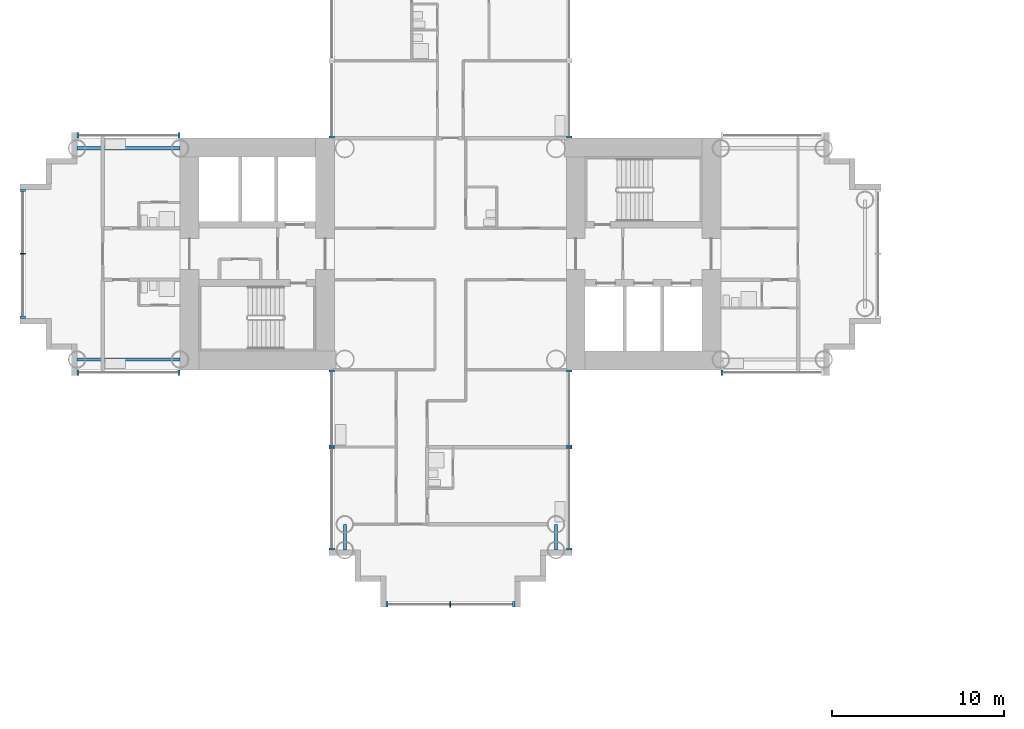
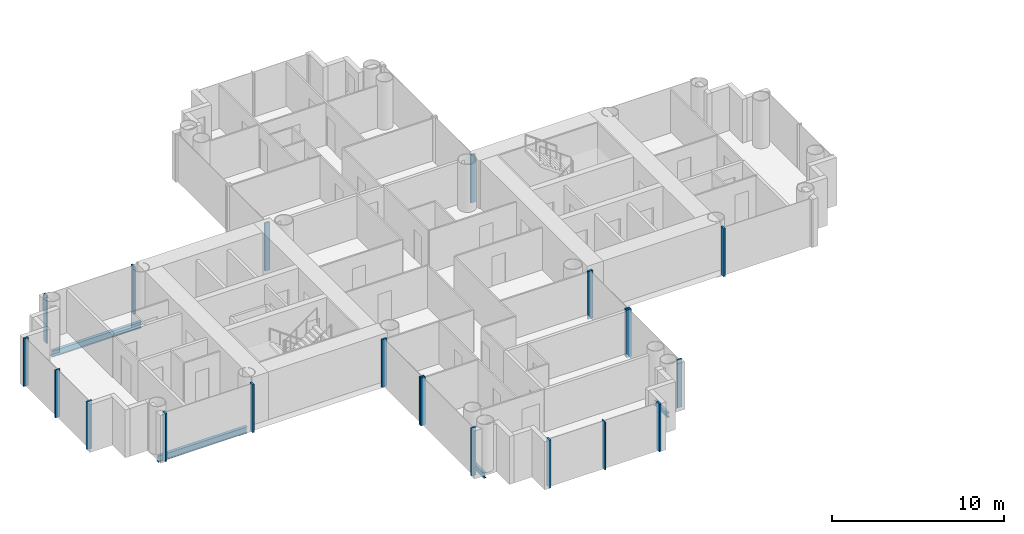
# One storey, part 3 of 21: 21 members, 4 beams, 11 elements without a shape of their own.
"""IFC4 building model written with IfcOpenShell, lengths in metres."""

from ifc_helpers import new_model, si_unit, direction, frame, origin, origin_2d, place, context, subcontext, project, spatial, rectangle, i_section, extrude, material, layer, layer_set, material_profile, profile_set, type_object, element, aggregate, save


model = new_model("IFC4")

# Units and contexts
model_context = context("Model", 3, precision=1e-05, world=origin(), true_north=direction((0.0, 1.0)))
body_context = subcontext(model_context, "Body", "Model", "MODEL_VIEW")
ifc_project = project(units=[si_unit("LENGTHUNIT", "METRE"), si_unit("AREAUNIT", "SQUARE_METRE"), si_unit("VOLUMEUNIT", "CUBIC_METRE"), si_unit("PLANEANGLEUNIT", "RADIAN"), si_unit("MASSUNIT", "GRAM", prefix="KILO")], contexts=[model_context])

# Site, building, storey
site_placement = place(None, origin())
site = spatial("IfcSite", under=ifc_project, at=site_placement, CompositionType="ELEMENT")
building_placement = place(site_placement, origin())
building = spatial("IfcBuilding", under=site, at=building_placement, Name="Ipe Terrace Towers", CompositionType="ELEMENT")
storey_placement = place(building_placement, frame((0.0, 0.0, 27.89990234375)))
storey = spatial("IfcBuildingStorey", under=building, at=storey_placement, Name="L06", CompositionType="ELEMENT", Elevation=27.89990234375)

# Beams
ifc_material_1 = material(Name="Steel S355", Category="steel")
ifc_material_profile_1 = material_profile(ifc_material_1, i_section(OverallWidth=0.175048828125, OverallDepth=0.35009765625, WebThickness=0.007080078125, FlangeThickness=0.010986328125, at=origin_2d()), Name="H-350x175x7x11")
ifc_profile_set_1 = profile_set([ifc_material_profile_1], Name="Steel S355")
beam_type_1 = type_object("IfcBeamType", Name="H04 EDGE BEAM H-350x175x7x11", PredefinedType="BEAM", material=ifc_profile_set_1)
for number, where, z_axis, x_axis, name in (
    (1, (-42.14990234375, -15.75, -0.574951171875), (0.0, -1.0, 0.0), (1.0, 0.0, 0.0), "Edge beam T1-EB-D03-D05"),
    (2, (-29.85009765625, -15.75, -0.574951171875), (0.0, -1.0, 0.0), (1.0, 0.0, 0.0), "Edge beam T1-EB-D04-D06"),
):
    element("IfcBeam", number, at=place(storey_placement, frame(where, z_axis=z_axis, x_axis=x_axis)), inside=storey, type_object=beam_type_1, Name=name, PredefinedType="BEAM", context=body_context, shape_type="SweptSolid", body=[
        extrude(i_section(OverallWidth=0.175048828125, OverallDepth=0.35009765625, WebThickness=0.007080078125, FlangeThickness=0.010986328125, at=origin_2d()), origin(), (0.0, 0.0, 1.0), 1.5),
    ])
ifc_material_2 = material(Name="Steel S355", Category="steel")
ifc_material_profile_2 = material_profile(ifc_material_2, i_section(OverallWidth=0.199951171875, OverallDepth=0.449951171875, WebThickness=0.009033203125, FlangeThickness=0.013916015625, at=origin_2d()), Name="H-450x200x9x14")
ifc_profile_set_2 = profile_set([ifc_material_profile_2], Name="Steel S355")
beam_type_2 = type_object("IfcBeamType", Name="H08 EDGE BEAM H-450x200x9x14", PredefinedType="BEAM", material=ifc_profile_set_2)
for number, where, z_axis, x_axis, name in (
    (3, (-51.75, -6.14990234375, -0.625), (-1.0, 0.0, 0.0), (0.0, -1.0, 0.0), "Edge beam T1-EB-C01-C03"),
    (4, (-51.75, 6.14990234375, -0.625), (-1.0, 0.0, 0.0), (0.0, -1.0, 0.0), "Edge beam T1-EB-C02-C04"),
):
    element("IfcBeam", number, at=place(storey_placement, frame(where, z_axis=z_axis, x_axis=x_axis)), inside=storey, type_object=beam_type_2, Name=name, PredefinedType="BEAM", context=body_context, shape_type="SweptSolid", body=[
        extrude(i_section(OverallWidth=0.199951171875, OverallDepth=0.449951171875, WebThickness=0.009033203125, FlangeThickness=0.013916015625, at=origin_2d()), origin(), (0.0, 0.0, 1.0), 6.0),
    ])

# Curtain wall, members
ifc_material_3 = material(Name="Aluminium alloy 6063-T6", Category="aluminium")
ifc_layer = layer(ifc_material_3, 0.320068359375)
ifc_layer_set = layer_set([ifc_layer], Name="TOWER UNITISED CURTAIN WALL")
curtain_wall_type = type_object("IfcCurtainWallType", Name="TOWER UNITISED CURTAIN WALL", PredefinedType="NOTDEFINED", material=ifc_layer_set)
curtain_wall_1_placement = place(storey_placement, origin())
curtain_wall_1 = element("IfcCurtainWall", 5, at=curtain_wall_1_placement, inside=storey, type_object=curtain_wall_type, Name="T1-CW-L06-04a curtain wall", PredefinedType="NOTDEFINED")
ifc_material_4 = material(Name="Aluminium alloy 6063-T6", Category="aluminium")
ifc_material_profile_3 = material_profile(ifc_material_4, rectangle(XDim=0.320068359375, YDim=0.1201171875, at=origin_2d()), Name="TOWER UNITISED CORNER MULLION 320 x 120")
ifc_profile_set_3 = profile_set([ifc_material_profile_3], Name="Aluminium alloy 6063-T6")
member_type_1 = type_object("IfcMemberType", Name="TOWER UNITISED CORNER MULLION 320 x 120", PredefinedType="MULLION", material=ifc_profile_set_3)
member_1_placement = place(storey_placement, frame((-57.68994140625, -6.909912109375, -0.2998046875), z_axis=(0.0, 0.0, 1.0), x_axis=(0.0, -1.0, 0.0)))
member_1 = element("IfcMember", 6, at=member_1_placement, type_object=member_type_1, Name="T1-CW-L06-04a mullion 1", PredefinedType="MULLION", context=body_context, shape_type="SweptSolid", body=[
    extrude(rectangle(XDim=0.320068359375, YDim=0.1201171875, at=origin_2d()), origin(), (0.0, 0.0, 1.0), 3.39990234375),
])
member_2_placement = place(storey_placement, frame((-51.81103515625, -6.909912109375, -0.2998046875), z_axis=(0.0, 0.0, 1.0), x_axis=(0.0, -1.0, 0.0)))
member_2 = element("IfcMember", 7, at=member_2_placement, type_object=member_type_1, Name="T1-CW-L06-04a mullion 2", PredefinedType="MULLION", context=body_context, shape_type="SweptSolid", body=[
    extrude(rectangle(XDim=0.320068359375, YDim=0.1201171875, at=origin_2d()), origin(), (0.0, 0.0, 1.0), 3.39990234375),
])
aggregate(curtain_wall_1, [member_1, member_2])

curtain_wall_2_placement = place(storey_placement, origin())
curtain_wall_2 = element("IfcCurtainWall", 8, at=curtain_wall_2_placement, inside=storey, type_object=curtain_wall_type, Name="T1-CW-L06-06a curtain wall", PredefinedType="NOTDEFINED")
member_3_placement = place(storey_placement, frame((-42.909912109375, -6.81005859375, -0.2998046875), z_axis=(0.0, 0.0, 1.0), x_axis=(-1.0, 0.0, 0.0)))
member_3 = element("IfcMember", 9, at=member_3_placement, type_object=member_type_1, Name="T1-CW-L06-06a mullion 1", PredefinedType="MULLION", context=body_context, shape_type="SweptSolid", body=[
    extrude(rectangle(XDim=0.320068359375, YDim=0.1201171875, at=origin_2d()), origin(), (0.0, 0.0, 1.0), 3.39990234375),
])
member_4_placement = place(storey_placement, frame((-42.909912109375, -11.18994140625, -0.2998046875), z_axis=(0.0, 0.0, 1.0), x_axis=(-1.0, 0.0, 0.0)))
member_4 = element("IfcMember", 10, at=member_4_placement, type_object=member_type_1, Name="T1-CW-L06-06a mullion 2", PredefinedType="MULLION", context=body_context, shape_type="SweptSolid", body=[
    extrude(rectangle(XDim=0.320068359375, YDim=0.1201171875, at=origin_2d()), origin(), (0.0, 0.0, 1.0), 3.39990234375),
])
aggregate(curtain_wall_2, [member_3, member_4])

curtain_wall_3_placement = place(storey_placement, origin())
curtain_wall_3 = element("IfcCurtainWall", 11, at=curtain_wall_3_placement, inside=storey, type_object=curtain_wall_type, Name="T1-CW-L06-07a curtain wall", PredefinedType="NOTDEFINED")
member_5_placement = place(storey_placement, frame((-42.909912109375, -11.31005859375, -0.2998046875), z_axis=(0.0, 0.0, 1.0), x_axis=(-1.0, 0.0, 0.0)))
member_5 = element("IfcMember", 12, at=member_5_placement, type_object=member_type_1, Name="T1-CW-L06-07a mullion 1", PredefinedType="MULLION", context=body_context, shape_type="SweptSolid", body=[
    extrude(rectangle(XDim=0.320068359375, YDim=0.1201171875, at=origin_2d()), origin(), (0.0, 0.0, 1.0), 3.39990234375),
])
member_6_placement = place(storey_placement, frame((-42.909912109375, -17.18994140625, -0.2998046875), z_axis=(0.0, 0.0, 1.0), x_axis=(-1.0, 0.0, 0.0)))
member_6 = element("IfcMember", 13, at=member_6_placement, type_object=member_type_1, Name="T1-CW-L06-07a mullion 2", PredefinedType="MULLION", context=body_context, shape_type="SweptSolid", body=[
    extrude(rectangle(XDim=0.320068359375, YDim=0.1201171875, at=origin_2d()), origin(), (0.0, 0.0, 1.0), 3.39990234375),
])
aggregate(curtain_wall_3, [member_5, member_6])

curtain_wall_4_placement = place(storey_placement, origin())
curtain_wall_4 = element("IfcCurtainWall", 14, at=curtain_wall_4_placement, inside=storey, type_object=curtain_wall_type, Name="T1-CW-L06-12a curtain wall", PredefinedType="NOTDEFINED")
member_7_placement = place(storey_placement, frame((-39.68994140625, -20.409912109375, -0.2998046875), z_axis=(0.0, 0.0, 1.0), x_axis=(0.0, -1.0, 0.0)))
member_7 = element("IfcMember", 15, at=member_7_placement, type_object=member_type_1, Name="T1-CW-L06-12a mullion 1", PredefinedType="MULLION", context=body_context, shape_type="SweptSolid", body=[
    extrude(rectangle(XDim=0.320068359375, YDim=0.1201171875, at=origin_2d()), origin(), (0.0, 0.0, 1.0), 3.39990234375),
])
member_8_placement = place(storey_placement, frame((-32.31005859375, -20.409912109375, -0.2998046875), z_axis=(0.0, 0.0, 1.0), x_axis=(0.0, -1.0, 0.0)))
member_8 = element("IfcMember", 16, at=member_8_placement, type_object=member_type_1, Name="T1-CW-L06-12a mullion 3", PredefinedType="MULLION", context=body_context, shape_type="SweptSolid", body=[
    extrude(rectangle(XDim=0.320068359375, YDim=0.1201171875, at=origin_2d()), origin(), (0.0, 0.0, 1.0), 3.39990234375),
])

curtain_wall_5_placement = place(storey_placement, origin())
curtain_wall_5 = element("IfcCurtainWall", 17, at=curtain_wall_5_placement, inside=storey, type_object=curtain_wall_type, Name="T1-CW-L06-17a curtain wall", PredefinedType="NOTDEFINED")
member_9_placement = place(storey_placement, frame((-29.090087890625, -17.18994140625, -0.2998046875), z_axis=(0.0, 0.0, 1.0), x_axis=(1.0, 0.0, 0.0)))
member_9 = element("IfcMember", 18, at=member_9_placement, type_object=member_type_1, Name="T1-CW-L06-17a mullion 1", PredefinedType="MULLION", context=body_context, shape_type="SweptSolid", body=[
    extrude(rectangle(XDim=0.320068359375, YDim=0.1201171875, at=origin_2d()), origin(), (0.0, 0.0, 1.0), 3.39990234375),
])
member_10_placement = place(storey_placement, frame((-29.090087890625, -11.31005859375, -0.2998046875), z_axis=(0.0, 0.0, 1.0), x_axis=(1.0, 0.0, 0.0)))
member_10 = element("IfcMember", 19, at=member_10_placement, type_object=member_type_1, Name="T1-CW-L06-17a mullion 2", PredefinedType="MULLION", context=body_context, shape_type="SweptSolid", body=[
    extrude(rectangle(XDim=0.320068359375, YDim=0.1201171875, at=origin_2d()), origin(), (0.0, 0.0, 1.0), 3.39990234375),
])
aggregate(curtain_wall_5, [member_9, member_10])

curtain_wall_6_placement = place(storey_placement, origin())
curtain_wall_6 = element("IfcCurtainWall", 20, at=curtain_wall_6_placement, inside=storey, type_object=curtain_wall_type, Name="T1-CW-L06-18a curtain wall", PredefinedType="NOTDEFINED")
member_11_placement = place(storey_placement, frame((-29.090087890625, -11.18994140625, -0.2998046875), z_axis=(0.0, 0.0, 1.0), x_axis=(1.0, 0.0, 0.0)))
member_11 = element("IfcMember", 21, at=member_11_placement, type_object=member_type_1, Name="T1-CW-L06-18a mullion 1", PredefinedType="MULLION", context=body_context, shape_type="SweptSolid", body=[
    extrude(rectangle(XDim=0.320068359375, YDim=0.1201171875, at=origin_2d()), origin(), (0.0, 0.0, 1.0), 3.39990234375),
])
member_12_placement = place(storey_placement, frame((-29.090087890625, -6.81005859375, -0.2998046875), z_axis=(0.0, 0.0, 1.0), x_axis=(1.0, 0.0, 0.0)))
member_12 = element("IfcMember", 22, at=member_12_placement, type_object=member_type_1, Name="T1-CW-L06-18a mullion 2", PredefinedType="MULLION", context=body_context, shape_type="SweptSolid", body=[
    extrude(rectangle(XDim=0.320068359375, YDim=0.1201171875, at=origin_2d()), origin(), (0.0, 0.0, 1.0), 3.39990234375),
])
aggregate(curtain_wall_6, [member_11, member_12])

# Curtain wall, member
curtain_wall_7_placement = place(storey_placement, origin())
curtain_wall_7 = element("IfcCurtainWall", 23, at=curtain_wall_7_placement, inside=storey, type_object=curtain_wall_type, Name="T1-CW-L06-20b curtain wall", PredefinedType="NOTDEFINED")
member_13_placement = place(storey_placement, frame((-20.18896484375, -6.909912109375, -0.2998046875), z_axis=(0.0, 0.0, 1.0), x_axis=(0.0, -1.0, 0.0)))
member_13 = element("IfcMember", 24, at=member_13_placement, type_object=member_type_1, Name="T1-CW-L06-20b mullion 1", PredefinedType="MULLION", context=body_context, shape_type="SweptSolid", body=[
    extrude(rectangle(XDim=0.320068359375, YDim=0.1201171875, at=origin_2d()), origin(), (0.0, 0.0, 1.0), 3.39990234375),
])
aggregate(curtain_wall_7, [member_13])

curtain_wall_8_placement = place(storey_placement, origin())
curtain_wall_8 = element("IfcCurtainWall", 25, at=curtain_wall_8_placement, inside=storey, type_object=curtain_wall_type, Name="T1-CW-L06-32a curtain wall", PredefinedType="NOTDEFINED")
member_14_placement = place(storey_placement, frame((-29.090087890625, 6.81005859375, -0.2998046875), z_axis=(0.0, 0.0, 1.0), x_axis=(1.0, 0.0, 0.0)))
member_14 = element("IfcMember", 26, at=member_14_placement, type_object=member_type_1, Name="T1-CW-L06-32a mullion 1", PredefinedType="MULLION", context=body_context, shape_type="SweptSolid", body=[
    extrude(rectangle(XDim=0.320068359375, YDim=0.1201171875, at=origin_2d()), origin(), (0.0, 0.0, 1.0), 3.39990234375),
])
aggregate(curtain_wall_8, [member_14])

curtain_wall_9_placement = place(storey_placement, origin())
curtain_wall_9 = element("IfcCurtainWall", 27, at=curtain_wall_9_placement, inside=storey, type_object=curtain_wall_type, Name="T1-CW-L06-44a curtain wall", PredefinedType="NOTDEFINED")
member_15_placement = place(storey_placement, frame((-42.909912109375, 6.81005859375, -0.2998046875), z_axis=(0.0, 0.0, 1.0), x_axis=(-1.0, 0.0, 0.0)))
member_15 = element("IfcMember", 28, at=member_15_placement, type_object=member_type_1, Name="T1-CW-L06-44a mullion 2", PredefinedType="MULLION", context=body_context, shape_type="SweptSolid", body=[
    extrude(rectangle(XDim=0.320068359375, YDim=0.1201171875, at=origin_2d()), origin(), (0.0, 0.0, 1.0), 3.39990234375),
])
aggregate(curtain_wall_9, [member_15])

# Curtain wall, members
curtain_wall_10_placement = place(storey_placement, origin())
curtain_wall_10 = element("IfcCurtainWall", 29, at=curtain_wall_10_placement, inside=storey, type_object=curtain_wall_type, Name="T1-CW-L06-46b curtain wall", PredefinedType="NOTDEFINED")
member_16_placement = place(storey_placement, frame((-51.81103515625, 6.909912109375, -0.2998046875), z_axis=(0.0, 0.0, 1.0), x_axis=(0.0, 1.0, 0.0)))
member_16 = element("IfcMember", 30, at=member_16_placement, type_object=member_type_1, Name="T1-CW-L06-46b mullion 1", PredefinedType="MULLION", context=body_context, shape_type="SweptSolid", body=[
    extrude(rectangle(XDim=0.320068359375, YDim=0.1201171875, at=origin_2d()), origin(), (0.0, 0.0, 1.0), 3.39990234375),
])
member_17_placement = place(storey_placement, frame((-57.68994140625, 6.909912109375, -0.2998046875), z_axis=(0.0, 0.0, 1.0), x_axis=(0.0, 1.0, 0.0)))
member_17 = element("IfcMember", 31, at=member_17_placement, type_object=member_type_1, Name="T1-CW-L06-46b mullion 2", PredefinedType="MULLION", context=body_context, shape_type="SweptSolid", body=[
    extrude(rectangle(XDim=0.320068359375, YDim=0.1201171875, at=origin_2d()), origin(), (0.0, 0.0, 1.0), 3.39990234375),
])
aggregate(curtain_wall_10, [member_16, member_17])

curtain_wall_11_placement = place(storey_placement, origin())
curtain_wall_11 = element("IfcCurtainWall", 32, at=curtain_wall_11_placement, inside=storey, type_object=curtain_wall_type, Name="T1-CW-L06-51a curtain wall", PredefinedType="NOTDEFINED")
member_18_placement = place(storey_placement, frame((-60.909912109375, 3.68994140625, -0.2998046875), z_axis=(0.0, 0.0, 1.0), x_axis=(-1.0, 0.0, 0.0)))
member_18 = element("IfcMember", 33, at=member_18_placement, type_object=member_type_1, Name="T1-CW-L06-51a mullion 1", PredefinedType="MULLION", context=body_context, shape_type="SweptSolid", body=[
    extrude(rectangle(XDim=0.320068359375, YDim=0.1201171875, at=origin_2d()), origin(), (0.0, 0.0, 1.0), 3.39990234375),
])
member_19_placement = place(storey_placement, frame((-60.909912109375, -3.68994140625, -0.2998046875), z_axis=(0.0, 0.0, 1.0), x_axis=(-1.0, 0.0, 0.0)))
member_19 = element("IfcMember", 34, at=member_19_placement, type_object=member_type_1, Name="T1-CW-L06-51a mullion 3", PredefinedType="MULLION", context=body_context, shape_type="SweptSolid", body=[
    extrude(rectangle(XDim=0.320068359375, YDim=0.1201171875, at=origin_2d()), origin(), (0.0, 0.0, 1.0), 3.39990234375),
])

# Member
ifc_material_5 = material(Name="Aluminium alloy 6063-T6", Category="aluminium")
ifc_material_profile_4 = material_profile(ifc_material_5, rectangle(XDim=0.320068359375, YDim=0.06494140625, at=origin_2d()), Name="TOWER UNITISED MULLION 320 x 65")
ifc_profile_set_4 = profile_set([ifc_material_profile_4], Name="Aluminium alloy 6063-T6")
member_type_2 = type_object("IfcMemberType", Name="TOWER UNITISED MULLION 320 x 65", PredefinedType="MULLION", material=ifc_profile_set_4)
member_20_placement = place(storey_placement, frame((-36.0, -20.409912109375, -0.2998046875), z_axis=(0.0, 0.0, 1.0), x_axis=(0.0, -1.0, 0.0)))
member_20 = element("IfcMember", 35, at=member_20_placement, type_object=member_type_2, Name="T1-CW-L06-12a mullion 2", PredefinedType="MULLION", context=body_context, shape_type="SweptSolid", body=[
    extrude(rectangle(XDim=0.320068359375, YDim=0.06494140625, at=origin_2d()), origin(), (0.0, 0.0, 1.0), 3.39990234375),
])

aggregate(curtain_wall_4, [member_7, member_20, member_8])

member_21_placement = place(storey_placement, frame((-60.909912109375, 0.0, -0.2998046875), z_axis=(0.0, 0.0, 1.0), x_axis=(-1.0, 0.0, 0.0)))
member_21 = element("IfcMember", 36, at=member_21_placement, type_object=member_type_2, Name="T1-CW-L06-51a mullion 2", PredefinedType="MULLION", context=body_context, shape_type="SweptSolid", body=[
    extrude(rectangle(XDim=0.320068359375, YDim=0.06494140625, at=origin_2d()), origin(), (0.0, 0.0, 1.0), 3.39990234375),
])

aggregate(curtain_wall_11, [member_18, member_21, member_19])

save(model, "model.ifc")
